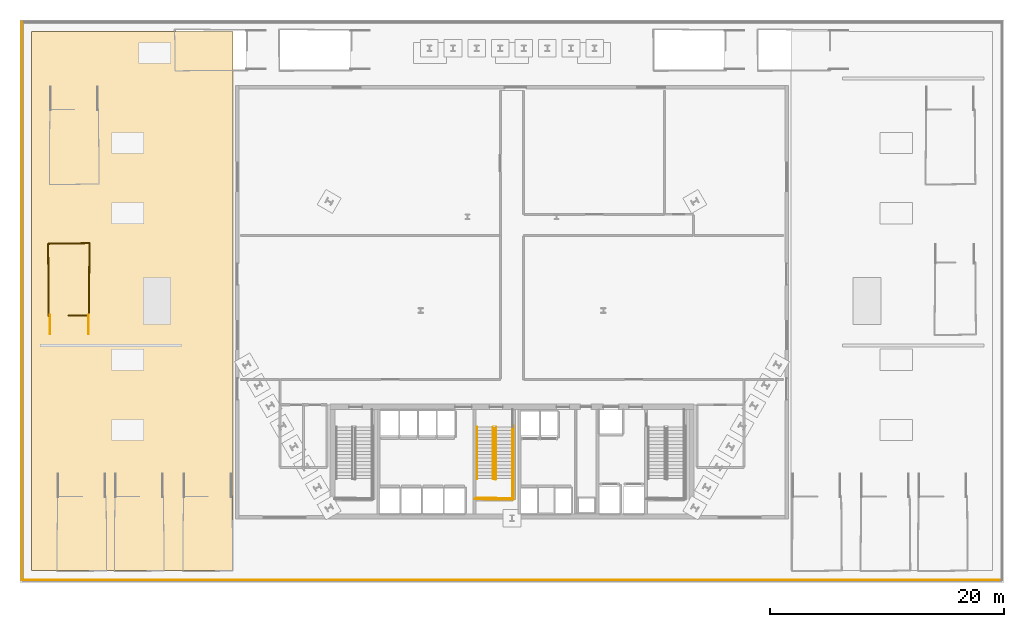
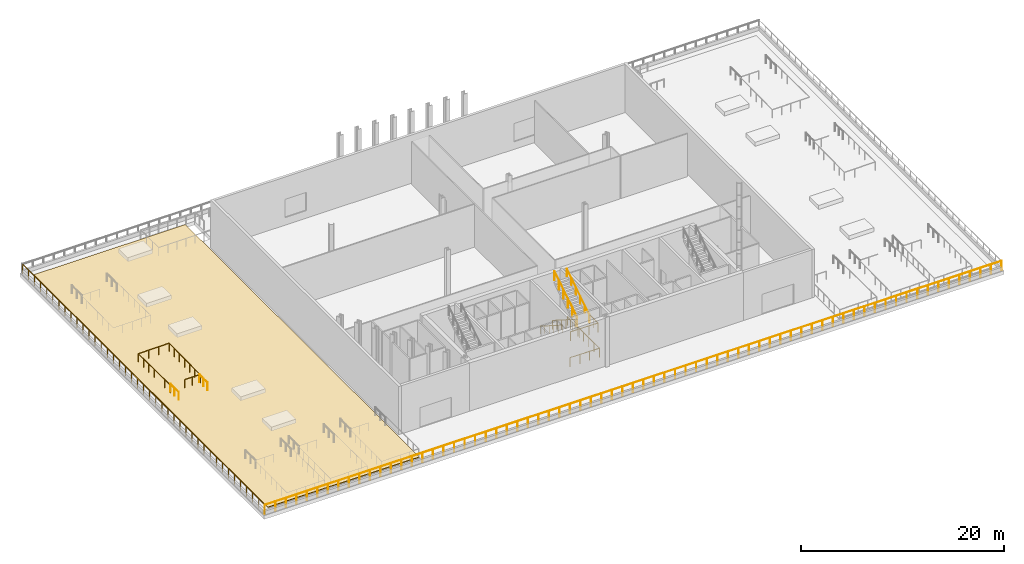
# One storey, part 9 of 13: 11 railings, 1 covering.
"""IFC4 building model written with IfcOpenShell, lengths in metres."""

import ifcopenshell
import ifcopenshell.guid

model = None  # the IFC model being written
_history = None  # IfcOwnerHistory: only IFC2X3 demands one
_inside = {}  # id of a spatial element -> (the spatial element, [elements in it])
_under = {}  # id of a project, library or spatial element -> (it, [spatial elements below it])
_declared = {}  # id of a project -> (the project, [libraries it declares])
_typed = {}  # id of a type object -> (the type object, [elements of that type])
_made_of = {}  # id of a material, layer set ... -> (it, [elements and type objects made of it])


def new_model(schema):
    """Start an empty IFC model of exactly this schema.

    Asked for "IFC4X3", IfcOpenShell would pick the latest addendum, in which some entities
    have other attributes; the version numbers below select the first issue.
    IFC2X3 requires an IfcOwnerHistory on every rooted entity: one is made here for all.
    """
    global model, _history
    if schema == "IFC4X3":
        model = ifcopenshell.file(schema_version=(4, 3, 0, 0))
    else:
        model = ifcopenshell.file(schema=schema)
    _inside.clear()
    _under.clear()
    _declared.clear()
    _typed.clear()
    _made_of.clear()
    _history = None
    if model.schema == "IFC2X3":
        org = make("IfcOrganization", Name="unknown")
        user = make(
            "IfcPersonAndOrganization",
            ThePerson=make("IfcPerson", FamilyName="unknown"),
            TheOrganization=org,
        )
        app = make(
            "IfcApplication",
            ApplicationDeveloper=org,
            Version="unknown",
            ApplicationFullName="unknown",
            ApplicationIdentifier="unknown",
        )
        _history = make(
            "IfcOwnerHistory",
            OwningUser=user,
            OwningApplication=app,
            ChangeAction="ADDED",
            CreationDate=0,
        )
    return model


def make(cls, **values):
    """One entity of the class cls with the attributes given. An attribute that is None is left unset."""
    return model.create_entity(
        cls, **{name: value for name, value in values.items() if value is not None}
    )


def rooted(cls, **values):
    """An entity with a GlobalId (a new one), such as an element, a storey or a relation."""
    return make(cls, GlobalId=ifcopenshell.guid.new(), OwnerHistory=_history, **values)


def si_unit(unit_type, name, prefix=None):
    """IfcSIUnit, for example si_unit("LENGTHUNIT", "METRE", prefix="MILLI")."""
    return make("IfcSIUnit", UnitType=unit_type, Prefix=prefix, Name=name)


def assignment(units):
    """IfcUnitAssignment: the units of a project."""
    return None if units is None else make("IfcUnitAssignment", Units=units)


def point(xyz):
    """IfcCartesianPoint."""
    return None if xyz is None else make("IfcCartesianPoint", Coordinates=xyz)


def direction(xyz):
    """IfcDirection."""
    return None if xyz is None else make("IfcDirection", DirectionRatios=xyz)


def frame(location, z_axis=None, x_axis=None):
    """IfcAxis2Placement3D, a coordinate frame: its origin and axes. An axis left out is left unset."""
    return make(
        "IfcAxis2Placement3D",
        Location=point(location),
        Axis=direction(z_axis),
        RefDirection=direction(x_axis),
    )


def frame_2d(location, x_axis=None):
    """IfcAxis2Placement2D, a coordinate frame in the plane: its origin and x axis."""
    return make(
        "IfcAxis2Placement2D", Location=point(location), RefDirection=direction(x_axis)
    )


def origin():
    """The frame at (0, 0, 0) with its axes left unset."""
    return frame((0.0, 0.0, 0.0))


def origin_2d():
    """The frame at (0, 0) in the plane with its x axis left unset."""
    return frame_2d((0.0, 0.0))


def place(relative_to, where):
    """IfcLocalPlacement: puts the frame where relative to a parent placement (None: the world)."""
    return make(
        "IfcLocalPlacement", PlacementRelTo=relative_to, RelativePlacement=where
    )


def context(
    kind, dimensions, precision=None, world=None, true_north=None, identifier=None
):
    """IfcGeometricRepresentationContext, for example the 3D "Model" context."""
    return make(
        "IfcGeometricRepresentationContext",
        ContextIdentifier=identifier,
        ContextType=kind,
        CoordinateSpaceDimension=dimensions,
        Precision=precision,
        WorldCoordinateSystem=world,
        TrueNorth=true_north,
    )


def subcontext(parent, identifier, kind, view, scale=None):
    """IfcGeometricRepresentationSubContext, for example "Body" below "Model"."""
    return make(
        "IfcGeometricRepresentationSubContext",
        ContextIdentifier=identifier,
        ContextType=kind,
        ParentContext=parent,
        TargetScale=scale,
        TargetView=view,
    )


def project(units=None, contexts=None):
    """IfcProject with its units and contexts."""
    return rooted(
        "IfcProject",
        Name="project",
        RepresentationContexts=contexts,
        UnitsInContext=assignment(units),
    )


def spatial(cls, under=None, at=None, **own):
    """A site, building, storey or space (cls), placed at a placement, below another one or the project."""
    s = rooted(cls, ObjectPlacement=at, **own)
    if under is not None:
        _under.setdefault(under.id(), (under, []))[1].append(s)
    return s


def polyline(points):
    """IfcPolyline through the points."""
    return make("IfcPolyline", Points=[point(p) for p in points])


def profile(cls, at=None, kind="AREA", **sizes):
    """A parametric profile (cls). Its sizes go by their IFC names, for example OverallWidth=200.0."""
    return make(cls, ProfileType=kind, Position=at, **sizes)


def circle(**sizes):
    """IfcCircleProfileDef."""
    return profile("IfcCircleProfileDef", **sizes)


def outline(outer, holes=None, kind="AREA"):
    """IfcArbitraryClosedProfileDef: a profile drawn as a closed curve; with holes, ...WithVoids."""
    if holes is None:
        return make("IfcArbitraryClosedProfileDef", ProfileType=kind, OuterCurve=outer)
    return make(
        "IfcArbitraryProfileDefWithVoids",
        ProfileType=kind,
        OuterCurve=outer,
        InnerCurves=holes,
    )


def extrude(swept, where, along, depth):
    """IfcExtrudedAreaSolid: the profile swept, set in the frame where, extruded along a direction by depth."""
    return make(
        "IfcExtrudedAreaSolid",
        SweptArea=swept,
        Position=where,
        ExtrudedDirection=direction(along),
        Depth=depth,
    )


def shape(context_of_items, identifier, shape_type, items):
    """IfcShapeRepresentation: the items that make up one representation, for example the "Body"."""
    return make(
        "IfcShapeRepresentation",
        ContextOfItems=context_of_items,
        RepresentationIdentifier=identifier,
        RepresentationType=shape_type,
        Items=items,
    )


def material(Name=None, Category=None):
    """IfcMaterial."""
    return make("IfcMaterial", Name=Name, Category=Category)


def layer(
    of_material, thickness, ventilated=None, Name=None, Category=None, Priority=None
):
    """IfcMaterialLayer: one layer of a wall or slab, of a material (None: an air gap)."""
    return make(
        "IfcMaterialLayer",
        Material=of_material,
        LayerThickness=thickness,
        IsVentilated=ventilated,
        Name=Name,
        Category=Category,
        Priority=Priority,
    )


def layer_set(layers, Name=None):
    """IfcMaterialLayerSet."""
    return make("IfcMaterialLayerSet", MaterialLayers=layers, LayerSetName=Name)


def made_of(thing, what):
    """Note that an element or type object is made of a material, layer set ...; save() writes the relation."""
    if what is not None:
        _made_of.setdefault(what.id(), (what, []))[1].append(thing)
    return thing


def type_object(cls, material=None, **own):
    """A type object (cls), such as IfcWallType, which elements share."""
    return made_of(rooted(cls, **own), material)


def element(
    cls,
    number,
    at=None,
    inside=None,
    cuts=None,
    type_object=None,
    material=None,
    context=None,
    identifier="Body",
    shape_type=None,
    held_by="IfcProductDefinitionShape",
    body=None,
    shapes=None,
    **own,
):
    """One element of the class cls, such as IfcWall. Its Tag is "e" and its number.

    at: its placement. inside: the storey or other place that contains it. cuts: it is an
    opening in that element (IfcRelVoidsElement). A single representation is given by context,
    identifier, shape_type and body (its items); several are given by shapes. held_by: the class
    of the entity that holds the representations. save() writes the other relations.
    """
    e = rooted(cls, Tag="e%d" % number, ObjectPlacement=at, **own)
    if body is not None:
        shapes = [shape(context, identifier, shape_type, body)]
    if shapes is not None:
        e.Representation = make(held_by, Representations=shapes)
    if inside is not None:
        _inside.setdefault(inside.id(), (inside, []))[1].append(e)
    if cuts is not None:
        rooted(
            "IfcRelVoidsElement", RelatingBuildingElement=cuts, RelatedOpeningElement=e
        )
    if type_object is not None:
        _typed.setdefault(type_object.id(), (type_object, []))[1].append(e)
    return made_of(e, material)


def aggregate(whole, parts):
    """IfcRelAggregates: a whole, such as a stair, and the parts it consists of."""
    return rooted("IfcRelAggregates", RelatingObject=whole, RelatedObjects=parts)


def save(model, path):
    """Write the relations noted so far, then the file.

    IfcRelAggregates (storeys below a building ...), IfcRelContainedInSpatialStructure (elements
    in a storey), IfcRelDefinesByType, IfcRelAssociatesMaterial and IfcRelDeclares: one each for
    every whole, place, type object, material and project.
    """
    for whole, parts in _under.values():
        aggregate(whole, parts)
    for where, things in _inside.values():
        rooted(
            "IfcRelContainedInSpatialStructure",
            RelatedElements=things,
            RelatingStructure=where,
        )
    for kind, things in _typed.values():
        rooted("IfcRelDefinesByType", RelatedObjects=things, RelatingType=kind)
    for what, things in _made_of.values():
        rooted("IfcRelAssociatesMaterial", RelatedObjects=things, RelatingMaterial=what)
    for by, libraries in _declared.values():
        rooted("IfcRelDeclares", RelatingContext=by, RelatedDefinitions=libraries)
    model.write(path)


model = new_model("IFC4")

# Units and contexts
model_context = context("Model", 3, precision=1e-05, world=origin(), true_north=direction((0.0, 1.0)))
body_context = subcontext(model_context, "Body", "Model", "MODEL_VIEW")
ifc_project = project(units=[si_unit("LENGTHUNIT", "METRE"), si_unit("AREAUNIT", "SQUARE_METRE"), si_unit("VOLUMEUNIT", "CUBIC_METRE"), si_unit("PLANEANGLEUNIT", "RADIAN"), si_unit("MASSUNIT", "GRAM", prefix="KILO")], contexts=[model_context])

# Site, building, storey
site_placement = place(None, origin())
site = spatial("IfcSite", under=ifc_project, at=site_placement, CompositionType="ELEMENT")
building_placement = place(site_placement, origin())
building = spatial("IfcBuilding", under=site, at=building_placement, Name="Ndaravel Arena Tower", CompositionType="ELEMENT")
storey_placement = place(building_placement, frame((0.0, 0.0, 30.0)))
storey = spatial("IfcBuildingStorey", under=building, at=storey_placement, Name="L05", CompositionType="ELEMENT", Elevation=30.0)

# Covering
ifc_material_1 = material(Name="Roofing Membrane", Category="finish")
ifc_layer_1 = layer(ifc_material_1, 0.080078125)
ifc_layer_set_1 = layer_set([ifc_layer_1], Name="Roofing Membrane")
covering_type = type_object("IfcCoveringType", Name="COV-ROOF-MEMB", PredefinedType="ROOFING", material=ifc_layer_set_1)
covering_placement = place(storey_placement, origin())
element("IfcCovering", 1, at=covering_placement, inside=storey, type_object=covering_type, Name="L05 West Terrace Waterproofing & Mazeras Paving", PredefinedType="ROOFING", context=body_context, shape_type="SweptSolid", body=[
    extrude(outline(polyline([(1.0, 1.0), (18.199951171875, 1.0), (18.199951171875, 47.0), (1.0, 47.0), (1.0, 1.0)])), origin(), (0.0, 0.0, 1.0), 0.080078125),
])

# Railings
ifc_material_2 = material(Name="Steel S355", Category="steel")
ifc_layer_2 = layer(ifc_material_2, 0.06005859375)
ifc_layer_set_2 = layer_set([ifc_layer_2], Name="Steel S355")
railing_type_1 = type_object("IfcRailingType", Name="RAIL-STAIR-GD1100", PredefinedType="GUARDRAIL", material=ifc_layer_set_2)
railing_1_placement = place(storey_placement, frame((40.39990234375, 13.25, 0.1875)))
element("IfcRailing", 2, at=railing_1_placement, inside=storey, type_object=railing_type_1, Name="L05 ST-2 stair guard 1", PredefinedType="GUARDRAIL", context=body_context, shape_type="SweptSolid", body=[
    extrude(circle(Radius=0.02392578125, at=origin_2d()), frame((0.0, 0.0, 1.076171875), z_axis=(0.0, -0.843958541447, 0.536408408136), x_axis=(1.0, 0.0, 0.0)), (0.0, 0.0, 1.0), 5.2431640625),
    extrude(circle(Radius=0.02392578125, at=origin_2d()), frame((0.0, -4.425048828125, 3.888671875), z_axis=(0.967074537263, -0.25449329928, 0.0), x_axis=(0.25449329928, 0.967074537263, 0.0)), (0.0, 0.0, 1.0), 0.19677734375),
    extrude(circle(Radius=0.02099609375, at=origin_2d()), origin(), (0.0, 0.0, 1.0), 1.052001953125),
    extrude(circle(Radius=0.02099609375, at=origin_2d()), frame((0.0, -0.885009765625, 0.5625)), (0.0, 0.0, 1.0), 1.052001953125),
    extrude(circle(Radius=0.02099609375, at=origin_2d()), frame((0.0, -1.77001953125, 1.125)), (0.0, 0.0, 1.0), 1.052001953125),
    extrude(circle(Radius=0.02099609375, at=origin_2d()), frame((0.0, -2.655029296875, 1.6875)), (0.0, 0.0, 1.0), 1.052001953125),
    extrude(circle(Radius=0.02099609375, at=origin_2d()), frame((0.0, -3.5400390625, 2.25)), (0.0, 0.0, 1.0), 1.052001953125),
    extrude(circle(Radius=0.02099609375, at=origin_2d()), frame((0.0, -4.425048828125, 2.8125)), (0.0, 0.0, 1.0), 1.052001953125),
    extrude(circle(Radius=0.02099609375, at=origin_2d()), frame((0.190185546875, -4.47509765625, 2.8125)), (0.0, 0.0, 1.0), 1.052001953125),
])
railing_2_placement = place(storey_placement, frame((42.0400390625, 8.824951171875, 3.0)))
element("IfcRailing", 3, at=railing_2_placement, inside=storey, type_object=railing_type_1, Name="L05 ST-2 stair guard 2", PredefinedType="GUARDRAIL", context=body_context, shape_type="SweptSolid", body=[
    extrude(circle(Radius=0.02392578125, at=origin_2d()), frame((0.0, 0.0, 1.076171875), z_axis=(0.0, -1.0, 0.0), x_axis=(1.0, 0.0, 0.0)), (0.0, 0.0, 1.0), 1.675048828125),
    extrude(circle(Radius=0.02392578125, at=origin_2d()), frame((0.0, -1.675048828125, 1.076171875), z_axis=(-0.999868861343, 0.016194447071, 0.0), x_axis=(-0.016194447071, -0.999868861343, 0.0)), (0.0, 0.0, 1.0), 3.090576171875),
    extrude(circle(Radius=0.02099609375, at=origin_2d()), origin(), (0.0, 0.0, 1.0), 1.052001953125),
    extrude(circle(Radius=0.02099609375, at=origin_2d()), frame((0.0, -0.83740234375, 0.0)), (0.0, 0.0, 1.0), 1.052001953125),
    extrude(circle(Radius=0.02099609375, at=origin_2d()), frame((0.0, -1.675048828125, 0.0)), (0.0, 0.0, 1.0), 1.052001953125),
    extrude(circle(Radius=0.02099609375, at=origin_2d()), frame((-1.030029296875, -1.658447265625, 0.0)), (0.0, 0.0, 1.0), 1.052001953125),
    extrude(circle(Radius=0.02099609375, at=origin_2d()), frame((-2.06005859375, -1.6416015625, 0.0)), (0.0, 0.0, 1.0), 1.052001953125),
    extrude(circle(Radius=0.02099609375, at=origin_2d()), frame((-3.090087890625, -1.625, 0.0)), (0.0, 0.0, 1.0), 1.052001953125),
])
railing_3_placement = place(storey_placement, frame((40.639892578125, 8.824951171875, 3.1875)))
element("IfcRailing", 4, at=railing_3_placement, inside=storey, type_object=railing_type_1, Name="L05 ST-2 stair guard 3", PredefinedType="GUARDRAIL", context=body_context, shape_type="SweptSolid", body=[
    extrude(circle(Radius=0.02392578125, at=origin_2d()), frame((0.0, 0.0, 1.076171875), z_axis=(0.0, 0.843958541447, 0.536408408136), x_axis=(-1.0, 0.0, 0.0)), (0.0, 0.0, 1.0), 5.2431640625),
    extrude(circle(Radius=0.02099609375, at=origin_2d()), origin(), (0.0, 0.0, 1.0), 1.052001953125),
    extrude(circle(Radius=0.02099609375, at=origin_2d()), frame((0.0, 0.885009765625, 0.5625)), (0.0, 0.0, 1.0), 1.052001953125),
    extrude(circle(Radius=0.02099609375, at=origin_2d()), frame((0.0, 1.77001953125, 1.125)), (0.0, 0.0, 1.0), 1.052001953125),
    extrude(circle(Radius=0.02099609375, at=origin_2d()), frame((0.0, 2.655029296875, 1.6875)), (0.0, 0.0, 1.0), 1.052001953125),
    extrude(circle(Radius=0.02099609375, at=origin_2d()), frame((0.0, 3.5400390625, 2.25)), (0.0, 0.0, 1.0), 1.052001953125),
    extrude(circle(Radius=0.02099609375, at=origin_2d()), frame((0.0, 4.425048828125, 2.8125)), (0.0, 0.0, 1.0), 1.052001953125),
])
railing_4_placement = place(storey_placement, frame((42.139892578125, 13.35009765625, 0.0)))
element("IfcRailing", 5, at=railing_4_placement, inside=storey, type_object=railing_type_1, Name="L05 ST-2 stair guard 6", PredefinedType="GUARDRAIL", context=body_context, shape_type="SweptSolid", body=[
    extrude(circle(Radius=0.02392578125, at=origin_2d()), frame((0.0, 0.0, 1.076171875), z_axis=(0.0, -1.0, 0.0), x_axis=(1.0, 0.0, 0.0)), (0.0, 0.0, 1.0), 6.300048828125),
    extrude(circle(Radius=0.02392578125, at=origin_2d()), frame((0.0, -6.300048828125, 1.076171875), z_axis=(-0.999884296952, 0.015211597839, 0.0), x_axis=(-0.015211597839, -0.999884296952, 0.0)), (0.0, 0.0, 1.0), 3.290283203125),
    extrude(circle(Radius=0.02099609375, at=origin_2d()), origin(), (0.0, 0.0, 1.0), 1.052001953125),
    extrude(circle(Radius=0.02099609375, at=origin_2d()), frame((0.0, -1.050048828125, 0.0)), (0.0, 0.0, 1.0), 1.052001953125),
    extrude(circle(Radius=0.02099609375, at=origin_2d()), frame((0.0, -2.10009765625, 0.0)), (0.0, 0.0, 1.0), 1.052001953125),
    extrude(circle(Radius=0.02099609375, at=origin_2d()), frame((0.0, -3.14990234375, 0.0)), (0.0, 0.0, 1.0), 1.052001953125),
    extrude(circle(Radius=0.02099609375, at=origin_2d()), frame((0.0, -4.199951171875, 0.0)), (0.0, 0.0, 1.0), 1.052001953125),
    extrude(circle(Radius=0.02099609375, at=origin_2d()), frame((0.0, -5.25, 0.0)), (0.0, 0.0, 1.0), 1.052001953125),
    extrude(circle(Radius=0.02099609375, at=origin_2d()), frame((0.0, -6.300048828125, 0.0)), (0.0, 0.0, 1.0), 1.052001953125),
    extrude(circle(Radius=0.02099609375, at=origin_2d()), frame((-1.0966796875, -6.283447265625, 0.0)), (0.0, 0.0, 1.0), 1.052001953125),
    extrude(circle(Radius=0.02099609375, at=origin_2d()), frame((-2.193115234375, -6.2666015625, 0.0)), (0.0, 0.0, 1.0), 1.052001953125),
    extrude(circle(Radius=0.02099609375, at=origin_2d()), frame((-3.289794921875, -6.25, 0.0)), (0.0, 0.0, 1.0), 1.052001953125),
])
railing_5_placement = place(storey_placement, frame((2.449951171875, 22.719970703125, 0.0)))
element("IfcRailing", 6, at=railing_5_placement, inside=storey, type_object=railing_type_1, Name="L05 ST-A07 top well guard 1", PredefinedType="GUARDRAIL", context=body_context, shape_type="SweptSolid", body=[
    extrude(circle(Radius=0.02392578125, at=origin_2d()), frame((0.0, 0.0, 1.076171875), z_axis=(-0.008098339889, 0.999967207908, 0.0), x_axis=(-0.999967207908, -0.008098339889, 0.0)), (0.0, 0.0, 1.0), 6.18017578125),
    extrude(circle(Radius=0.02392578125, at=origin_2d()), frame((-0.050048828125, 6.179931640625, 1.076171875), z_axis=(0.999899507016, 0.014176595818, 0.0), x_axis=(-0.014176595818, 0.999899507016, 0.0)), (0.0, 0.0, 1.0), 3.5302734375),
    extrude(circle(Radius=0.02392578125, at=origin_2d()), frame((3.47998046875, 6.22998046875, 1.076171875), z_axis=(-0.008098339889, -0.999967207908, 0.0), x_axis=(0.999967207908, -0.008098339889, 0.0)), (0.0, 0.0, 1.0), 6.18017578125),
    extrude(circle(Radius=0.02392578125, at=origin_2d()), frame((3.429931640625, 0.050048828125, 1.076171875), z_axis=(-1.0, 0.0, 0.0), x_axis=(0.0, -1.0, 0.0)), (0.0, 0.0, 1.0), 1.759765625),
    extrude(circle(Radius=0.02099609375, at=origin_2d()), origin(), (0.0, 0.0, 1.0), 1.052001953125),
    extrude(circle(Radius=0.02099609375, at=origin_2d()), frame((-0.00830078125, 1.030029296875, 0.0)), (0.0, 0.0, 1.0), 1.052001953125),
    extrude(circle(Radius=0.02099609375, at=origin_2d()), frame((-0.0166015625, 2.06005859375, 0.0)), (0.0, 0.0, 1.0), 1.052001953125),
    extrude(circle(Radius=0.02099609375, at=origin_2d()), frame((-0.02490234375, 3.08984375, 0.0)), (0.0, 0.0, 1.0), 1.052001953125),
    extrude(circle(Radius=0.02099609375, at=origin_2d()), frame((-0.033447265625, 4.119873046875, 0.0)), (0.0, 0.0, 1.0), 1.052001953125),
    extrude(circle(Radius=0.02099609375, at=origin_2d()), frame((-0.041748046875, 5.14990234375, 0.0)), (0.0, 0.0, 1.0), 1.052001953125),
    extrude(circle(Radius=0.02099609375, at=origin_2d()), frame((-0.050048828125, 6.179931640625, 0.0)), (0.0, 0.0, 1.0), 1.052001953125),
    extrude(circle(Radius=0.02099609375, at=origin_2d()), frame((1.126708984375, 6.196533203125, 0.0)), (0.0, 0.0, 1.0), 1.052001953125),
    extrude(circle(Radius=0.02099609375, at=origin_2d()), frame((2.30322265625, 6.21337890625, 0.0)), (0.0, 0.0, 1.0), 1.052001953125),
    extrude(circle(Radius=0.02099609375, at=origin_2d()), frame((3.47998046875, 6.22998046875, 0.0)), (0.0, 0.0, 1.0), 1.052001953125),
    extrude(circle(Radius=0.02099609375, at=origin_2d()), frame((3.4716796875, 5.199951171875, 0.0)), (0.0, 0.0, 1.0), 1.052001953125),
    extrude(circle(Radius=0.02099609375, at=origin_2d()), frame((3.46337890625, 4.169921875, 0.0)), (0.0, 0.0, 1.0), 1.052001953125),
    extrude(circle(Radius=0.02099609375, at=origin_2d()), frame((3.455078125, 3.14013671875, 0.0)), (0.0, 0.0, 1.0), 1.052001953125),
    extrude(circle(Radius=0.02099609375, at=origin_2d()), frame((3.446533203125, 2.110107421875, 0.0)), (0.0, 0.0, 1.0), 1.052001953125),
    extrude(circle(Radius=0.02099609375, at=origin_2d()), frame((3.438232421875, 1.080078125, 0.0)), (0.0, 0.0, 1.0), 1.052001953125),
    extrude(circle(Radius=0.02099609375, at=origin_2d()), frame((3.429931640625, 0.050048828125, 0.0)), (0.0, 0.0, 1.0), 1.052001953125),
    extrude(circle(Radius=0.02099609375, at=origin_2d()), frame((2.550048828125, 0.050048828125, 0.0)), (0.0, 0.0, 1.0), 1.052001953125),
    extrude(circle(Radius=0.02099609375, at=origin_2d()), frame((1.670166015625, 0.050048828125, 0.0)), (0.0, 0.0, 1.0), 1.052001953125),
])
for number, where, name in (
    (7, (5.830078125, 21.199951171875, 0.0), "L05 ST-A07 top well guard 2"),
    (8, (2.550048828125, 21.199951171875, 0.0), "L05 ST-A07 top well guard 3"),
):
    element("IfcRailing", number, at=place(storey_placement, frame(where)), inside=storey, type_object=railing_type_1, Name=name, PredefinedType="GUARDRAIL", context=body_context, shape_type="SweptSolid", body=[
        extrude(circle(Radius=0.02392578125, at=origin_2d()), frame((0.0, 0.0, 1.076171875), z_axis=(0.0, 1.0, 0.0), x_axis=(-1.0, 0.0, 0.0)), (0.0, 0.0, 1.0), 1.6201171875),
        extrude(circle(Radius=0.02099609375, at=origin_2d()), origin(), (0.0, 0.0, 1.0), 1.052001953125),
        extrude(circle(Radius=0.02099609375, at=origin_2d()), frame((0.0, 0.81005859375, 0.0)), (0.0, 0.0, 1.0), 1.052001953125),
        extrude(circle(Radius=0.02099609375, at=origin_2d()), frame((0.0, 1.6201171875, 0.0)), (0.0, 0.0, 1.0), 1.052001953125),
    ])
ifc_material_3 = material(Name="Steel S355", Category="steel")
ifc_layer_3 = layer(ifc_material_3, 0.050048828125)
ifc_layer_set_3 = layer_set([ifc_layer_3], Name="Steel S355")
railing_type_2 = type_object("IfcRailingType", Name="RAIL-STAIR-HR920", PredefinedType="HANDRAIL", material=ifc_layer_set_3)
railing_6_placement = place(storey_placement, frame((39.0, 13.25, 0.1875)))
element("IfcRailing", 9, at=railing_6_placement, inside=storey, type_object=railing_type_2, Name="L05 ST-2 stair handrail 1", PredefinedType="HANDRAIL", context=body_context, shape_type="SweptSolid", body=[
    extrude(circle(Radius=0.02392578125, at=origin_2d()), frame((0.0, 0.0, 0.8759765625), z_axis=(0.0, -0.843958541447, 0.536408408136), x_axis=(1.0, 0.0, 0.0)), (0.0, 0.0, 1.0), 5.2431640625),
    extrude(circle(Radius=0.02099609375, at=origin_2d()), origin(), (0.0, 0.0, 1.0), 0.851806640625),
    extrude(circle(Radius=0.02099609375, at=origin_2d()), frame((0.0, -0.885009765625, 0.5625)), (0.0, 0.0, 1.0), 0.851806640625),
    extrude(circle(Radius=0.02099609375, at=origin_2d()), frame((0.0, -1.77001953125, 1.125)), (0.0, 0.0, 1.0), 0.851806640625),
    extrude(circle(Radius=0.02099609375, at=origin_2d()), frame((0.0, -2.655029296875, 1.6875)), (0.0, 0.0, 1.0), 0.851806640625),
    extrude(circle(Radius=0.02099609375, at=origin_2d()), frame((0.0, -3.5400390625, 2.25)), (0.0, 0.0, 1.0), 0.851806640625),
    extrude(circle(Radius=0.02099609375, at=origin_2d()), frame((0.0, -4.425048828125, 2.8125)), (0.0, 0.0, 1.0), 0.851806640625),
])
railing_7_placement = place(storey_placement, frame((42.0400390625, 8.824951171875, 3.1875)))
element("IfcRailing", 10, at=railing_7_placement, inside=storey, type_object=railing_type_2, Name="L05 ST-2 stair handrail 2", PredefinedType="HANDRAIL", context=body_context, shape_type="SweptSolid", body=[
    extrude(circle(Radius=0.02392578125, at=origin_2d()), frame((0.0, 0.0, 0.8759765625), z_axis=(0.0, 0.843958541447, 0.536408408136), x_axis=(-1.0, 0.0, 0.0)), (0.0, 0.0, 1.0), 5.2431640625),
    extrude(circle(Radius=0.02099609375, at=origin_2d()), origin(), (0.0, 0.0, 1.0), 0.851806640625),
    extrude(circle(Radius=0.02099609375, at=origin_2d()), frame((0.0, 0.885009765625, 0.5625)), (0.0, 0.0, 1.0), 0.851806640625),
    extrude(circle(Radius=0.02099609375, at=origin_2d()), frame((0.0, 1.77001953125, 1.125)), (0.0, 0.0, 1.0), 0.851806640625),
    extrude(circle(Radius=0.02099609375, at=origin_2d()), frame((0.0, 2.655029296875, 1.6875)), (0.0, 0.0, 1.0), 0.851806640625),
    extrude(circle(Radius=0.02099609375, at=origin_2d()), frame((0.0, 3.5400390625, 2.25)), (0.0, 0.0, 1.0), 0.851806640625),
    extrude(circle(Radius=0.02099609375, at=origin_2d()), frame((0.0, 4.425048828125, 2.8125)), (0.0, 0.0, 1.0), 0.851806640625),
])
ifc_material_4 = material(Name="Glazing", Category="glass")
ifc_layer_4 = layer(ifc_material_4, 0.070068359375)
ifc_layer_set_4 = layer_set([ifc_layer_4], Name="Glazing")
railing_type_3 = type_object("IfcRailingType", Name="RAIL-TERRACE-1150", PredefinedType="BALUSTRADE", material=ifc_layer_set_4)
railing_8_placement = place(storey_placement, frame((0.179931640625, 0.179931640625, 0.0)))
element("IfcRailing", 11, at=railing_8_placement, inside=storey, type_object=railing_type_3, Name="L05 Raised Garden Perimeter Balustrade 1", PredefinedType="BALUSTRADE", context=body_context, shape_type="SweptSolid", body=[
    extrude(circle(Radius=0.02392578125, at=origin_2d()), frame((0.0, 0.0, 1.1259765625), z_axis=(1.0, 0.0, 0.0), x_axis=(0.0, 1.0, 0.0)), (0.0, 0.0, 1.0), 83.64013671875),
    extrude(circle(Radius=0.02099609375, at=origin_2d()), origin(), (0.0, 0.0, 1.0), 1.101806640625),
    extrude(circle(Radius=0.02099609375, at=origin_2d()), frame((1.19482421875, 0.0, 0.0)), (0.0, 0.0, 1.0), 1.101806640625),
    extrude(circle(Radius=0.02099609375, at=origin_2d()), frame((2.3896484375, 0.0, 0.0)), (0.0, 0.0, 1.0), 1.101806640625),
    extrude(circle(Radius=0.02099609375, at=origin_2d()), frame((3.58447265625, 0.0, 0.0)), (0.0, 0.0, 1.0), 1.101806640625),
    extrude(circle(Radius=0.02099609375, at=origin_2d()), frame((4.779541015625, 0.0, 0.0)), (0.0, 0.0, 1.0), 1.101806640625),
    extrude(circle(Radius=0.02099609375, at=origin_2d()), frame((5.974365234375, 0.0, 0.0)), (0.0, 0.0, 1.0), 1.101806640625),
    extrude(circle(Radius=0.02099609375, at=origin_2d()), frame((7.169189453125, 0.0, 0.0)), (0.0, 0.0, 1.0), 1.101806640625),
    extrude(circle(Radius=0.02099609375, at=origin_2d()), frame((8.364013671875, 0.0, 0.0)), (0.0, 0.0, 1.0), 1.101806640625),
    extrude(circle(Radius=0.02099609375, at=origin_2d()), frame((9.558837890625, 0.0, 0.0)), (0.0, 0.0, 1.0), 1.101806640625),
    extrude(circle(Radius=0.02099609375, at=origin_2d()), frame((10.753662109375, 0.0, 0.0)), (0.0, 0.0, 1.0), 1.101806640625),
    extrude(circle(Radius=0.02099609375, at=origin_2d()), frame((11.948486328125, 0.0, 0.0)), (0.0, 0.0, 1.0), 1.101806640625),
    extrude(circle(Radius=0.02099609375, at=origin_2d()), frame((13.1435546875, 0.0, 0.0)), (0.0, 0.0, 1.0), 1.101806640625),
    extrude(circle(Radius=0.02099609375, at=origin_2d()), frame((14.33837890625, 0.0, 0.0)), (0.0, 0.0, 1.0), 1.101806640625),
    extrude(circle(Radius=0.02099609375, at=origin_2d()), frame((15.533203125, 0.0, 0.0)), (0.0, 0.0, 1.0), 1.101806640625),
    extrude(circle(Radius=0.02099609375, at=origin_2d()), frame((16.72802734375, 0.0, 0.0)), (0.0, 0.0, 1.0), 1.101806640625),
    extrude(circle(Radius=0.02099609375, at=origin_2d()), frame((17.9228515625, 0.0, 0.0)), (0.0, 0.0, 1.0), 1.101806640625),
    extrude(circle(Radius=0.02099609375, at=origin_2d()), frame((19.11767578125, 0.0, 0.0)), (0.0, 0.0, 1.0), 1.101806640625),
    extrude(circle(Radius=0.02099609375, at=origin_2d()), frame((20.3125, 0.0, 0.0)), (0.0, 0.0, 1.0), 1.101806640625),
    extrude(circle(Radius=0.02099609375, at=origin_2d()), frame((21.507568359375, 0.0, 0.0)), (0.0, 0.0, 1.0), 1.101806640625),
    extrude(circle(Radius=0.02099609375, at=origin_2d()), frame((22.702392578125, 0.0, 0.0)), (0.0, 0.0, 1.0), 1.101806640625),
    extrude(circle(Radius=0.02099609375, at=origin_2d()), frame((23.897216796875, 0.0, 0.0)), (0.0, 0.0, 1.0), 1.101806640625),
    extrude(circle(Radius=0.02099609375, at=origin_2d()), frame((25.092041015625, 0.0, 0.0)), (0.0, 0.0, 1.0), 1.101806640625),
    extrude(circle(Radius=0.02099609375, at=origin_2d()), frame((26.286865234375, 0.0, 0.0)), (0.0, 0.0, 1.0), 1.101806640625),
    extrude(circle(Radius=0.02099609375, at=origin_2d()), frame((27.481689453125, 0.0, 0.0)), (0.0, 0.0, 1.0), 1.101806640625),
    extrude(circle(Radius=0.02099609375, at=origin_2d()), frame((28.676513671875, 0.0, 0.0)), (0.0, 0.0, 1.0), 1.101806640625),
    extrude(circle(Radius=0.02099609375, at=origin_2d()), frame((29.87158203125, 0.0, 0.0)), (0.0, 0.0, 1.0), 1.101806640625),
    extrude(circle(Radius=0.02099609375, at=origin_2d()), frame((31.06640625, 0.0, 0.0)), (0.0, 0.0, 1.0), 1.101806640625),
    extrude(circle(Radius=0.02099609375, at=origin_2d()), frame((32.26123046875, 0.0, 0.0)), (0.0, 0.0, 1.0), 1.101806640625),
    extrude(circle(Radius=0.02099609375, at=origin_2d()), frame((33.4560546875, 0.0, 0.0)), (0.0, 0.0, 1.0), 1.101806640625),
    extrude(circle(Radius=0.02099609375, at=origin_2d()), frame((34.65087890625, 0.0, 0.0)), (0.0, 0.0, 1.0), 1.101806640625),
    extrude(circle(Radius=0.02099609375, at=origin_2d()), frame((35.845703125, 0.0, 0.0)), (0.0, 0.0, 1.0), 1.101806640625),
    extrude(circle(Radius=0.02099609375, at=origin_2d()), frame((37.04052734375, 0.0, 0.0)), (0.0, 0.0, 1.0), 1.101806640625),
    extrude(circle(Radius=0.02099609375, at=origin_2d()), frame((38.235595703125, 0.0, 0.0)), (0.0, 0.0, 1.0), 1.101806640625),
    extrude(circle(Radius=0.02099609375, at=origin_2d()), frame((39.430419921875, 0.0, 0.0)), (0.0, 0.0, 1.0), 1.101806640625),
    extrude(circle(Radius=0.02099609375, at=origin_2d()), frame((40.625244140625, 0.0, 0.0)), (0.0, 0.0, 1.0), 1.101806640625),
    extrude(circle(Radius=0.02099609375, at=origin_2d()), frame((41.820068359375, 0.0, 0.0)), (0.0, 0.0, 1.0), 1.101806640625),
    extrude(circle(Radius=0.02099609375, at=origin_2d()), frame((43.014892578125, 0.0, 0.0)), (0.0, 0.0, 1.0), 1.101806640625),
    extrude(circle(Radius=0.02099609375, at=origin_2d()), frame((44.209716796875, 0.0, 0.0)), (0.0, 0.0, 1.0), 1.101806640625),
    extrude(circle(Radius=0.02099609375, at=origin_2d()), frame((45.404541015625, 0.0, 0.0)), (0.0, 0.0, 1.0), 1.101806640625),
    extrude(circle(Radius=0.02099609375, at=origin_2d()), frame((46.599609375, 0.0, 0.0)), (0.0, 0.0, 1.0), 1.101806640625),
    extrude(circle(Radius=0.02099609375, at=origin_2d()), frame((47.79443359375, 0.0, 0.0)), (0.0, 0.0, 1.0), 1.101806640625),
    extrude(circle(Radius=0.02099609375, at=origin_2d()), frame((48.9892578125, 0.0, 0.0)), (0.0, 0.0, 1.0), 1.101806640625),
    extrude(circle(Radius=0.02099609375, at=origin_2d()), frame((50.18408203125, 0.0, 0.0)), (0.0, 0.0, 1.0), 1.101806640625),
    extrude(circle(Radius=0.02099609375, at=origin_2d()), frame((51.37890625, 0.0, 0.0)), (0.0, 0.0, 1.0), 1.101806640625),
    extrude(circle(Radius=0.02099609375, at=origin_2d()), frame((52.57373046875, 0.0, 0.0)), (0.0, 0.0, 1.0), 1.101806640625),
    extrude(circle(Radius=0.02099609375, at=origin_2d()), frame((53.7685546875, 0.0, 0.0)), (0.0, 0.0, 1.0), 1.101806640625),
    extrude(circle(Radius=0.02099609375, at=origin_2d()), frame((54.963623046875, 0.0, 0.0)), (0.0, 0.0, 1.0), 1.101806640625),
    extrude(circle(Radius=0.02099609375, at=origin_2d()), frame((56.158447265625, 0.0, 0.0)), (0.0, 0.0, 1.0), 1.101806640625),
    extrude(circle(Radius=0.02099609375, at=origin_2d()), frame((57.353271484375, 0.0, 0.0)), (0.0, 0.0, 1.0), 1.101806640625),
    extrude(circle(Radius=0.02099609375, at=origin_2d()), frame((58.548095703125, 0.0, 0.0)), (0.0, 0.0, 1.0), 1.101806640625),
    extrude(circle(Radius=0.02099609375, at=origin_2d()), frame((59.742919921875, 0.0, 0.0)), (0.0, 0.0, 1.0), 1.101806640625),
    extrude(circle(Radius=0.02099609375, at=origin_2d()), frame((60.937744140625, 0.0, 0.0)), (0.0, 0.0, 1.0), 1.101806640625),
    extrude(circle(Radius=0.02099609375, at=origin_2d()), frame((62.132568359375, 0.0, 0.0)), (0.0, 0.0, 1.0), 1.101806640625),
    extrude(circle(Radius=0.02099609375, at=origin_2d()), frame((63.32763671875, 0.0, 0.0)), (0.0, 0.0, 1.0), 1.101806640625),
    extrude(circle(Radius=0.02099609375, at=origin_2d()), frame((64.5224609375, 0.0, 0.0)), (0.0, 0.0, 1.0), 1.101806640625),
    extrude(circle(Radius=0.02099609375, at=origin_2d()), frame((65.71728515625, 0.0, 0.0)), (0.0, 0.0, 1.0), 1.101806640625),
    extrude(circle(Radius=0.02099609375, at=origin_2d()), frame((66.912109375, 0.0, 0.0)), (0.0, 0.0, 1.0), 1.101806640625),
    extrude(circle(Radius=0.02099609375, at=origin_2d()), frame((68.10693359375, 0.0, 0.0)), (0.0, 0.0, 1.0), 1.101806640625),
    extrude(circle(Radius=0.02099609375, at=origin_2d()), frame((69.3017578125, 0.0, 0.0)), (0.0, 0.0, 1.0), 1.101806640625),
    extrude(circle(Radius=0.02099609375, at=origin_2d()), frame((70.49658203125, 0.0, 0.0)), (0.0, 0.0, 1.0), 1.101806640625),
    extrude(circle(Radius=0.02099609375, at=origin_2d()), frame((71.691650390625, 0.0, 0.0)), (0.0, 0.0, 1.0), 1.101806640625),
    extrude(circle(Radius=0.02099609375, at=origin_2d()), frame((72.886474609375, 0.0, 0.0)), (0.0, 0.0, 1.0), 1.101806640625),
    extrude(circle(Radius=0.02099609375, at=origin_2d()), frame((74.081298828125, 0.0, 0.0)), (0.0, 0.0, 1.0), 1.101806640625),
    extrude(circle(Radius=0.02099609375, at=origin_2d()), frame((75.276123046875, 0.0, 0.0)), (0.0, 0.0, 1.0), 1.101806640625),
    extrude(circle(Radius=0.02099609375, at=origin_2d()), frame((76.470947265625, 0.0, 0.0)), (0.0, 0.0, 1.0), 1.101806640625),
    extrude(circle(Radius=0.02099609375, at=origin_2d()), frame((77.665771484375, 0.0, 0.0)), (0.0, 0.0, 1.0), 1.101806640625),
    extrude(circle(Radius=0.02099609375, at=origin_2d()), frame((78.860595703125, 0.0, 0.0)), (0.0, 0.0, 1.0), 1.101806640625),
    extrude(circle(Radius=0.02099609375, at=origin_2d()), frame((80.0556640625, 0.0, 0.0)), (0.0, 0.0, 1.0), 1.101806640625),
    extrude(circle(Radius=0.02099609375, at=origin_2d()), frame((81.25048828125, 0.0, 0.0)), (0.0, 0.0, 1.0), 1.101806640625),
    extrude(circle(Radius=0.02099609375, at=origin_2d()), frame((82.4453125, 0.0, 0.0)), (0.0, 0.0, 1.0), 1.101806640625),
    extrude(circle(Radius=0.02099609375, at=origin_2d()), frame((83.64013671875, 0.0, 0.0)), (0.0, 0.0, 1.0), 1.101806640625),
])
railing_9_placement = place(storey_placement, frame((0.179931640625, 47.820068359375, 0.0)))
element("IfcRailing", 12, at=railing_9_placement, inside=storey, type_object=railing_type_3, Name="L05 Raised Garden Perimeter Balustrade 4", PredefinedType="BALUSTRADE", context=body_context, shape_type="SweptSolid", body=[
    extrude(circle(Radius=0.02392578125, at=origin_2d()), frame((0.0, 0.0, 1.1259765625), z_axis=(0.0, -1.0, 0.0), x_axis=(1.0, 0.0, 0.0)), (0.0, 0.0, 1.0), 47.64013671875),
    extrude(circle(Radius=0.02099609375, at=origin_2d()), origin(), (0.0, 0.0, 1.0), 1.101806640625),
    extrude(circle(Radius=0.02099609375, at=origin_2d()), frame((0.0, -1.19091796875, 0.0)), (0.0, 0.0, 1.0), 1.101806640625),
    extrude(circle(Radius=0.02099609375, at=origin_2d()), frame((0.0, -2.382080078125, 0.0)), (0.0, 0.0, 1.0), 1.101806640625),
    extrude(circle(Radius=0.02099609375, at=origin_2d()), frame((0.0, -3.572998046875, 0.0)), (0.0, 0.0, 1.0), 1.101806640625),
    extrude(circle(Radius=0.02099609375, at=origin_2d()), frame((0.0, -4.763916015625, 0.0)), (0.0, 0.0, 1.0), 1.101806640625),
    extrude(circle(Radius=0.02099609375, at=origin_2d()), frame((0.0, -5.955078125, 0.0)), (0.0, 0.0, 1.0), 1.101806640625),
    extrude(circle(Radius=0.02099609375, at=origin_2d()), frame((0.0, -7.14599609375, 0.0)), (0.0, 0.0, 1.0), 1.101806640625),
    extrude(circle(Radius=0.02099609375, at=origin_2d()), frame((0.0, -8.3369140625, 0.0)), (0.0, 0.0, 1.0), 1.101806640625),
    extrude(circle(Radius=0.02099609375, at=origin_2d()), frame((0.0, -9.528076171875, 0.0)), (0.0, 0.0, 1.0), 1.101806640625),
    extrude(circle(Radius=0.02099609375, at=origin_2d()), frame((0.0, -10.718994140625, 0.0)), (0.0, 0.0, 1.0), 1.101806640625),
    extrude(circle(Radius=0.02099609375, at=origin_2d()), frame((0.0, -11.91015625, 0.0)), (0.0, 0.0, 1.0), 1.101806640625),
    extrude(circle(Radius=0.02099609375, at=origin_2d()), frame((0.0, -13.10107421875, 0.0)), (0.0, 0.0, 1.0), 1.101806640625),
    extrude(circle(Radius=0.02099609375, at=origin_2d()), frame((0.0, -14.2919921875, 0.0)), (0.0, 0.0, 1.0), 1.101806640625),
    extrude(circle(Radius=0.02099609375, at=origin_2d()), frame((0.0, -15.483154296875, 0.0)), (0.0, 0.0, 1.0), 1.101806640625),
    extrude(circle(Radius=0.02099609375, at=origin_2d()), frame((0.0, -16.674072265625, 0.0)), (0.0, 0.0, 1.0), 1.101806640625),
    extrude(circle(Radius=0.02099609375, at=origin_2d()), frame((0.0, -17.864990234375, 0.0)), (0.0, 0.0, 1.0), 1.101806640625),
    extrude(circle(Radius=0.02099609375, at=origin_2d()), frame((0.0, -19.05615234375, 0.0)), (0.0, 0.0, 1.0), 1.101806640625),
    extrude(circle(Radius=0.02099609375, at=origin_2d()), frame((0.0, -20.2470703125, 0.0)), (0.0, 0.0, 1.0), 1.101806640625),
    extrude(circle(Radius=0.02099609375, at=origin_2d()), frame((0.0, -21.43798828125, 0.0)), (0.0, 0.0, 1.0), 1.101806640625),
    extrude(circle(Radius=0.02099609375, at=origin_2d()), frame((0.0, -22.629150390625, 0.0)), (0.0, 0.0, 1.0), 1.101806640625),
    extrude(circle(Radius=0.02099609375, at=origin_2d()), frame((0.0, -23.820068359375, 0.0)), (0.0, 0.0, 1.0), 1.101806640625),
    extrude(circle(Radius=0.02099609375, at=origin_2d()), frame((0.0, -25.010986328125, 0.0)), (0.0, 0.0, 1.0), 1.101806640625),
    extrude(circle(Radius=0.02099609375, at=origin_2d()), frame((0.0, -26.2021484375, 0.0)), (0.0, 0.0, 1.0), 1.101806640625),
    extrude(circle(Radius=0.02099609375, at=origin_2d()), frame((0.0, -27.39306640625, 0.0)), (0.0, 0.0, 1.0), 1.101806640625),
    extrude(circle(Radius=0.02099609375, at=origin_2d()), frame((0.0, -28.583984375, 0.0)), (0.0, 0.0, 1.0), 1.101806640625),
    extrude(circle(Radius=0.02099609375, at=origin_2d()), frame((0.0, -29.775146484375, 0.0)), (0.0, 0.0, 1.0), 1.101806640625),
    extrude(circle(Radius=0.02099609375, at=origin_2d()), frame((0.0, -30.966064453125, 0.0)), (0.0, 0.0, 1.0), 1.101806640625),
    extrude(circle(Radius=0.02099609375, at=origin_2d()), frame((0.0, -32.156982421875, 0.0)), (0.0, 0.0, 1.0), 1.101806640625),
    extrude(circle(Radius=0.02099609375, at=origin_2d()), frame((0.0, -33.34814453125, 0.0)), (0.0, 0.0, 1.0), 1.101806640625),
    extrude(circle(Radius=0.02099609375, at=origin_2d()), frame((0.0, -34.5390625, 0.0)), (0.0, 0.0, 1.0), 1.101806640625),
    extrude(circle(Radius=0.02099609375, at=origin_2d()), frame((0.0, -35.72998046875, 0.0)), (0.0, 0.0, 1.0), 1.101806640625),
    extrude(circle(Radius=0.02099609375, at=origin_2d()), frame((0.0, -36.921142578125, 0.0)), (0.0, 0.0, 1.0), 1.101806640625),
    extrude(circle(Radius=0.02099609375, at=origin_2d()), frame((0.0, -38.112060546875, 0.0)), (0.0, 0.0, 1.0), 1.101806640625),
    extrude(circle(Radius=0.02099609375, at=origin_2d()), frame((0.0, -39.30322265625, 0.0)), (0.0, 0.0, 1.0), 1.101806640625),
    extrude(circle(Radius=0.02099609375, at=origin_2d()), frame((0.0, -40.494140625, 0.0)), (0.0, 0.0, 1.0), 1.101806640625),
    extrude(circle(Radius=0.02099609375, at=origin_2d()), frame((0.0, -41.68505859375, 0.0)), (0.0, 0.0, 1.0), 1.101806640625),
    extrude(circle(Radius=0.02099609375, at=origin_2d()), frame((0.0, -42.876220703125, 0.0)), (0.0, 0.0, 1.0), 1.101806640625),
    extrude(circle(Radius=0.02099609375, at=origin_2d()), frame((0.0, -44.067138671875, 0.0)), (0.0, 0.0, 1.0), 1.101806640625),
    extrude(circle(Radius=0.02099609375, at=origin_2d()), frame((0.0, -45.258056640625, 0.0)), (0.0, 0.0, 1.0), 1.101806640625),
    extrude(circle(Radius=0.02099609375, at=origin_2d()), frame((0.0, -46.44921875, 0.0)), (0.0, 0.0, 1.0), 1.101806640625),
    extrude(circle(Radius=0.02099609375, at=origin_2d()), frame((0.0, -47.64013671875, 0.0)), (0.0, 0.0, 1.0), 1.101806640625),
])

save(model, "model.ifc")
